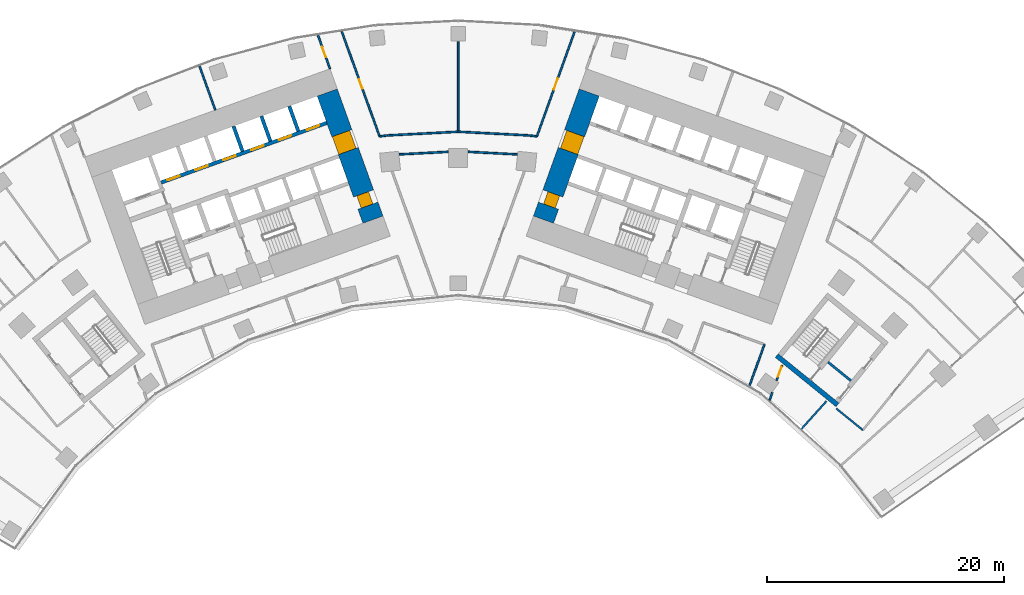
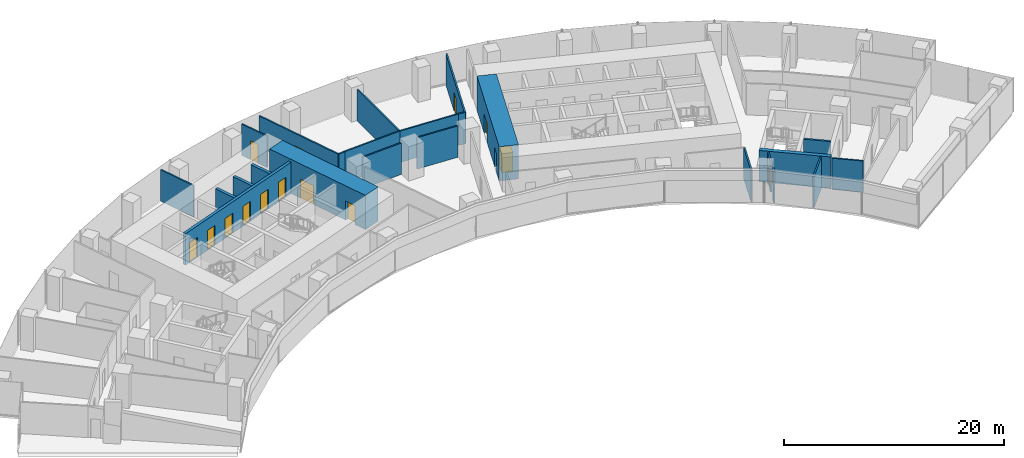
# One storey, part 16 of 21: 24 walls, 14 doors, 14 openings.
"""IFC4 building model written with IfcOpenShell, lengths in metres."""

from ifc_helpers import new_model, si_unit, direction, frame, frame_2d, origin, place, context, subcontext, project, spatial, rectangle, extrude, material, layer, layer_set, type_object, element, fill, save


model = new_model("IFC4")

# Units and contexts
model_context = context("Model", 3, precision=1e-05, world=origin(), true_north=direction((0.0, 1.0)))
body_context = subcontext(model_context, "Body", "Model", "MODEL_VIEW")
ifc_project = project(units=[si_unit("LENGTHUNIT", "METRE"), si_unit("AREAUNIT", "SQUARE_METRE"), si_unit("VOLUMEUNIT", "CUBIC_METRE"), si_unit("PLANEANGLEUNIT", "RADIAN"), si_unit("MASSUNIT", "GRAM", prefix="KILO")], contexts=[model_context])

# Site, building, storey
site_placement = place(None, origin())
site = spatial("IfcSite", under=ifc_project, at=site_placement, CompositionType="ELEMENT")
building_placement = place(site_placement, origin())
building = spatial("IfcBuilding", under=site, at=building_placement, Name="Stone Belt Terrace Tower", CompositionType="ELEMENT")
storey_placement = place(building_placement, frame((0.0, 0.0, 60.39990234375)))
storey = spatial("IfcBuildingStorey", under=building, at=storey_placement, Name="L14", CompositionType="ELEMENT", Elevation=60.39990234375)

# Wall, openings, doors
ifc_material_1 = material(Name="Concrete B80", Category="concrete")
ifc_layer_1 = layer(ifc_material_1, 1.800048828125)
ifc_layer_set_1 = layer_set([ifc_layer_1], Name="Core wall 1800 B80")
wall_type_1 = type_object("IfcWallType", Name="Core wall 1800 B80", PredefinedType="SHEAR", material=ifc_layer_set_1)
wall_1_placement = place(storey_placement, frame((-7.19091796875, 49.8076171875, 0.0), z_axis=(0.0, 0.0, 1.0), x_axis=(-0.338632255135, 0.940918804033, 0.0)))
wall_1 = element("IfcWall", 1, at=wall_1_placement, inside=storey, type_object=wall_type_1, Name="Core A wall end_b L14", PredefinedType="SHEAR", context=body_context, shape_type="SweptSolid", body=[
    extrude(rectangle(XDim=11.39990234375, YDim=1.800048828125, at=frame_2d((5.699951171875, 0.0))), origin(), (0.0, 0.0, 1.0), 3.800048828125),
])
opening_1_placement = place(wall_1_placement, frame((6.14990234375, 0.0, 0.0)))
opening_1 = element("IfcOpeningElement", 2, at=opening_1_placement, cuts=wall_1, Name="Opening L14-C02", PredefinedType="OPENING", context=body_context, shape_type="SweptSolid", body=[
    extrude(rectangle(XDim=1.60009765625, YDim=2.10009765625, at=frame_2d((0.800048828125, 1.050048828125))), frame((0.0, 0.909912109375, 0.0), z_axis=(0.0, -1.0, 0.0), x_axis=(1.0, 0.0, 0.0)), (0.0, 0.0, 1.0), 1.820068359375),
])
opening_2_placement = place(wall_1_placement, frame((1.25, 0.0, 0.0)))
opening_2 = element("IfcOpeningElement", 3, at=opening_2_placement, cuts=wall_1, Name="Opening L14-C08", PredefinedType="OPENING", context=body_context, shape_type="SweptSolid", body=[
    extrude(rectangle(XDim=1.10009765625, YDim=2.10009765625, at=frame_2d((0.550048828125, 1.050048828125))), frame((0.0, 0.909912109375, 0.0), z_axis=(0.0, -1.0, 0.0), x_axis=(1.0, 0.0, 0.0)), (0.0, 0.0, 1.0), 1.820068359375),
])
ifc_material_2 = material(Name="Timber door leaf", Category="wood")
door_type_1 = type_object("IfcDoorType", Name="Core room door 1100", OperationType="SINGLE_SWING_LEFT", PredefinedType="DOOR", material=ifc_material_2)
door_1_placement = place(opening_2_placement, origin())
door_1 = element("IfcDoor", 4, at=door_1_placement, inside=storey, type_object=door_type_1, Name="Door to Electrical riser room core A", OperationType="SINGLE_SWING_RIGHT", OverallHeight=2.10009765625, OverallWidth=1.10009765625, PredefinedType="DOOR", context=body_context, shape_type="SweptSolid", body=[
    extrude(rectangle(XDim=1.10009765625, YDim=2.10009765625, at=frame_2d((0.550048828125, 1.050048828125))), frame((0.0, 0.60498046875, 0.0), z_axis=(0.0, -1.0, 0.0), x_axis=(1.0, 0.0, 0.0)), (0.0, 0.0, 1.0), 1.050048828125),
])
fill(opening_2, door_1)
ifc_material_3 = material(Name="Glazed aluminium door leaf", Category="aluminium")
door_type_2 = type_object("IfcDoorType", Name="Lift lobby entrance door 1600", OperationType="DOUBLE_DOOR_SINGLE_SWING", PredefinedType="DOOR", material=ifc_material_3)
door_2_placement = place(opening_1_placement, origin())
door_2 = element("IfcDoor", 5, at=door_2_placement, inside=storey, type_object=door_type_2, Name="Lift lobby entrance door core A", OperationType="DOUBLE_DOOR_SINGLE_SWING", OverallHeight=2.10009765625, OverallWidth=1.60009765625, PredefinedType="DOOR", context=body_context, shape_type="SweptSolid", body=[
    extrude(rectangle(XDim=1.60009765625, YDim=2.10009765625, at=frame_2d((0.800048828125, 1.050048828125))), frame((0.0, 0.85498046875, 0.0), z_axis=(0.0, -1.0, 0.0), x_axis=(1.0, 0.0, 0.0)), (0.0, 0.0, 1.0), 1.550048828125),
])
fill(opening_1, door_2)

wall_2_placement = place(storey_placement, frame((7.19091796875, 49.8076171875, 0.0), z_axis=(0.0, 0.0, 1.0), x_axis=(0.338632255135, 0.940918804033, 0.0)))
wall_2 = element("IfcWall", 6, at=wall_2_placement, inside=storey, type_object=wall_type_1, Name="Core B wall end_a L14", PredefinedType="SHEAR", context=body_context, shape_type="SweptSolid", body=[
    extrude(rectangle(XDim=11.39990234375, YDim=1.800048828125, at=frame_2d((5.699951171875, 0.0))), origin(), (0.0, 0.0, 1.0), 3.800048828125),
])
opening_3_placement = place(wall_2_placement, frame((6.14990234375, 0.0, 0.0)))
opening_3 = element("IfcOpeningElement", 7, at=opening_3_placement, cuts=wall_2, Name="Opening L14-C10", PredefinedType="OPENING", context=body_context, shape_type="SweptSolid", body=[
    extrude(rectangle(XDim=1.60009765625, YDim=2.10009765625, at=frame_2d((0.800048828125, 1.050048828125))), frame((0.0, 0.909912109375, 0.0), z_axis=(0.0, -1.0, 0.0), x_axis=(1.0, 0.0, 0.0)), (0.0, 0.0, 1.0), 1.820068359375),
])
opening_4_placement = place(wall_2_placement, frame((1.25, 0.0, 0.0)))
opening_4 = element("IfcOpeningElement", 8, at=opening_4_placement, cuts=wall_2, Name="Opening L14-C16", PredefinedType="OPENING", context=body_context, shape_type="SweptSolid", body=[
    extrude(rectangle(XDim=1.10009765625, YDim=2.10009765625, at=frame_2d((0.550048828125, 1.050048828125))), frame((0.0, 0.909912109375, 0.0), z_axis=(0.0, -1.0, 0.0), x_axis=(1.0, 0.0, 0.0)), (0.0, 0.0, 1.0), 1.820068359375),
])
door_3_placement = place(opening_4_placement, origin())
door_3 = element("IfcDoor", 9, at=door_3_placement, inside=storey, type_object=door_type_1, Name="Door to Electrical riser room core B", OperationType="SINGLE_SWING_LEFT", OverallHeight=2.10009765625, OverallWidth=1.10009765625, PredefinedType="DOOR", context=body_context, shape_type="SweptSolid", body=[
    extrude(rectangle(XDim=1.10009765625, YDim=2.10009765625, at=frame_2d((0.550048828125, 1.050048828125))), frame((0.0, 0.44482421875, 0.0), z_axis=(0.0, -1.0, 0.0), x_axis=(1.0, 0.0, 0.0)), (0.0, 0.0, 1.0), 1.050048828125),
])
fill(opening_4, door_3)
door_4_placement = place(opening_3_placement, origin())
door_4 = element("IfcDoor", 10, at=door_4_placement, inside=storey, type_object=door_type_2, Name="Lift lobby entrance door core B", OperationType="DOUBLE_DOOR_SINGLE_SWING", OverallHeight=2.10009765625, OverallWidth=1.60009765625, PredefinedType="DOOR", context=body_context, shape_type="SweptSolid", body=[
    extrude(rectangle(XDim=1.60009765625, YDim=2.10009765625, at=frame_2d((0.800048828125, 1.050048828125))), frame((0.0, 0.69482421875, 0.0), z_axis=(0.0, -1.0, 0.0), x_axis=(1.0, 0.0, 0.0)), (0.0, 0.0, 1.0), 1.550048828125),
])
fill(opening_3, door_4)

ifc_layer_2 = layer(ifc_material_1, 0.300048828125)
ifc_layer_set_2 = layer_set([ifc_layer_2], Name="Lift shaft wall 300")
wall_type_2 = type_object("IfcWallType", Name="Lift shaft wall 300", PredefinedType="SHEAR", material=ifc_layer_set_2)
wall_3_placement = place(storey_placement, frame((-25.05810546875, 52.9423828125, 0.0), z_axis=(0.0, 0.0, 1.0), x_axis=(0.940918215764, 0.338633889685, 0.0)))
wall_3 = element("IfcWall", 11, at=wall_3_placement, inside=storey, type_object=wall_type_2, Name="Core A wall", PredefinedType="SHEAR", context=body_context, shape_type="SweptSolid", body=[
    extrude(rectangle(XDim=14.850341796875, YDim=0.300048828125, at=frame_2d((7.42529296875, 0.0))), origin(), (0.0, 0.0, 1.0), 3.47998046875),
])
opening_5_placement = place(wall_3_placement, frame((0.570068359375, 0.0, 0.0)))
opening_5 = element("IfcOpeningElement", 12, at=opening_5_placement, cuts=wall_3, Name="Opening L14-LD01", PredefinedType="OPENING", context=body_context, shape_type="SweptSolid", body=[
    extrude(rectangle(XDim=1.10009765625, YDim=2.199951171875, at=frame_2d((0.550048828125, 1.10009765625))), frame((0.0, 0.159912109375, 0.0), z_axis=(0.0, -1.0, 0.0), x_axis=(1.0, 0.0, 0.0)), (0.0, 0.0, 1.0), 0.320068359375),
])
opening_6_placement = place(wall_3_placement, frame((3.070068359375, 0.0, 0.0)))
opening_6 = element("IfcOpeningElement", 13, at=opening_6_placement, cuts=wall_3, Name="Opening L14-LD02", PredefinedType="OPENING", context=body_context, shape_type="SweptSolid", body=[
    extrude(rectangle(XDim=1.10009765625, YDim=2.199951171875, at=frame_2d((0.550048828125, 1.10009765625))), frame((0.0, 0.159912109375, 0.0), z_axis=(0.0, -1.0, 0.0), x_axis=(1.0, 0.0, 0.0)), (0.0, 0.0, 1.0), 0.320068359375),
])
opening_7_placement = place(wall_3_placement, frame((5.570068359375, 0.0, 0.0)))
opening_7 = element("IfcOpeningElement", 14, at=opening_7_placement, cuts=wall_3, Name="Opening L14-LD03", PredefinedType="OPENING", context=body_context, shape_type="SweptSolid", body=[
    extrude(rectangle(XDim=1.10009765625, YDim=2.199951171875, at=frame_2d((0.550048828125, 1.10009765625))), frame((0.0, 0.159912109375, 0.0), z_axis=(0.0, -1.0, 0.0), x_axis=(1.0, 0.0, 0.0)), (0.0, 0.0, 1.0), 0.320068359375),
])
opening_8_placement = place(wall_3_placement, frame((8.070068359375, 0.0, 0.0)))
opening_8 = element("IfcOpeningElement", 15, at=opening_8_placement, cuts=wall_3, Name="Opening L14-LD04", PredefinedType="OPENING", context=body_context, shape_type="SweptSolid", body=[
    extrude(rectangle(XDim=1.10009765625, YDim=2.199951171875, at=frame_2d((0.550048828125, 1.10009765625))), frame((0.0, 0.159912109375, 0.0), z_axis=(0.0, -1.0, 0.0), x_axis=(1.0, 0.0, 0.0)), (0.0, 0.0, 1.0), 0.320068359375),
])
opening_9_placement = place(wall_3_placement, frame((10.570068359375, 0.0, 0.0)))
opening_9 = element("IfcOpeningElement", 16, at=opening_9_placement, cuts=wall_3, Name="Opening L14-LD05", PredefinedType="OPENING", context=body_context, shape_type="SweptSolid", body=[
    extrude(rectangle(XDim=1.10009765625, YDim=2.199951171875, at=frame_2d((0.550048828125, 1.10009765625))), frame((0.0, 0.159912109375, 0.0), z_axis=(0.0, -1.0, 0.0), x_axis=(1.0, 0.0, 0.0)), (0.0, 0.0, 1.0), 0.320068359375),
])
opening_10_placement = place(wall_3_placement, frame((13.070068359375, 0.0, 0.0)))
opening_10 = element("IfcOpeningElement", 17, at=opening_10_placement, cuts=wall_3, Name="Opening L14-LD06", PredefinedType="OPENING", context=body_context, shape_type="SweptSolid", body=[
    extrude(rectangle(XDim=1.10009765625, YDim=2.199951171875, at=frame_2d((0.550048828125, 1.10009765625))), frame((0.0, 0.159912109375, 0.0), z_axis=(0.0, -1.0, 0.0), x_axis=(1.0, 0.0, 0.0)), (0.0, 0.0, 1.0), 0.320068359375),
])
ifc_material_4 = material(Name="Stainless steel door leaf", Category="steel")
door_type_3 = type_object("IfcDoorType", Name="Landing door 1100", OperationType="SLIDING_TO_LEFT", PredefinedType="DOOR", material=ifc_material_4)
door_5_placement = place(opening_5_placement, origin())
door_5 = element("IfcDoor", 18, at=door_5_placement, inside=storey, type_object=door_type_3, Name="Landing door LR1 core A", OperationType="SLIDING_TO_LEFT", OverallHeight=2.199951171875, OverallWidth=1.10009765625, PredefinedType="DOOR", context=body_context, shape_type="SweptSolid", body=[
    extrude(rectangle(XDim=1.10009765625, YDim=2.199951171875, at=frame_2d((0.550048828125, 1.10009765625))), frame((0.0, 0.02490234375, 0.0), z_axis=(0.0, -1.0, 0.0), x_axis=(1.0, 0.0, 0.0)), (0.0, 0.0, 1.0), 0.050048828125),
])
fill(opening_5, door_5)
door_6_placement = place(opening_6_placement, origin())
door_6 = element("IfcDoor", 19, at=door_6_placement, inside=storey, type_object=door_type_3, Name="Landing door LR2 core A", OperationType="SLIDING_TO_LEFT", OverallHeight=2.199951171875, OverallWidth=1.10009765625, PredefinedType="DOOR", context=body_context, shape_type="SweptSolid", body=[
    extrude(rectangle(XDim=1.10009765625, YDim=2.199951171875, at=frame_2d((0.550048828125, 1.10009765625))), frame((0.0, 0.02490234375, 0.0), z_axis=(0.0, -1.0, 0.0), x_axis=(1.0, 0.0, 0.0)), (0.0, 0.0, 1.0), 0.050048828125),
])
fill(opening_6, door_6)
door_7_placement = place(opening_7_placement, origin())
door_7 = element("IfcDoor", 20, at=door_7_placement, inside=storey, type_object=door_type_3, Name="Landing door LR3 core A", OperationType="SLIDING_TO_LEFT", OverallHeight=2.199951171875, OverallWidth=1.10009765625, PredefinedType="DOOR", context=body_context, shape_type="SweptSolid", body=[
    extrude(rectangle(XDim=1.10009765625, YDim=2.199951171875, at=frame_2d((0.550048828125, 1.10009765625))), frame((0.0, 0.02490234375, 0.0), z_axis=(0.0, -1.0, 0.0), x_axis=(1.0, 0.0, 0.0)), (0.0, 0.0, 1.0), 0.050048828125),
])
fill(opening_7, door_7)
door_8_placement = place(opening_8_placement, origin())
door_8 = element("IfcDoor", 21, at=door_8_placement, inside=storey, type_object=door_type_3, Name="Landing door LR4 core A", OperationType="SLIDING_TO_LEFT", OverallHeight=2.199951171875, OverallWidth=1.10009765625, PredefinedType="DOOR", context=body_context, shape_type="SweptSolid", body=[
    extrude(rectangle(XDim=1.10009765625, YDim=2.199951171875, at=frame_2d((0.550048828125, 1.10009765625))), frame((0.0, 0.02490234375, 0.0), z_axis=(0.0, -1.0, 0.0), x_axis=(1.0, 0.0, 0.0)), (0.0, 0.0, 1.0), 0.050048828125),
])
fill(opening_8, door_8)
door_9_placement = place(opening_9_placement, origin())
door_9 = element("IfcDoor", 22, at=door_9_placement, inside=storey, type_object=door_type_3, Name="Landing door LR5 core A", OperationType="SLIDING_TO_LEFT", OverallHeight=2.199951171875, OverallWidth=1.10009765625, PredefinedType="DOOR", context=body_context, shape_type="SweptSolid", body=[
    extrude(rectangle(XDim=1.10009765625, YDim=2.199951171875, at=frame_2d((0.550048828125, 1.10009765625))), frame((0.0, 0.02490234375, 0.0), z_axis=(0.0, -1.0, 0.0), x_axis=(1.0, 0.0, 0.0)), (0.0, 0.0, 1.0), 0.050048828125),
])
fill(opening_9, door_9)
door_10_placement = place(opening_10_placement, origin())
door_10 = element("IfcDoor", 23, at=door_10_placement, inside=storey, type_object=door_type_3, Name="Landing door LR6 core A", OperationType="SLIDING_TO_LEFT", OverallHeight=2.199951171875, OverallWidth=1.10009765625, PredefinedType="DOOR", context=body_context, shape_type="SweptSolid", body=[
    extrude(rectangle(XDim=1.10009765625, YDim=2.199951171875, at=frame_2d((0.550048828125, 1.10009765625))), frame((0.0, 0.02490234375, 0.0), z_axis=(0.0, -1.0, 0.0), x_axis=(1.0, 0.0, 0.0)), (0.0, 0.0, 1.0), 0.050048828125),
])
fill(opening_10, door_10)

# Walls
wall_4_placement = place(storey_placement, frame((-18.193115234375, 55.572509765625, 0.0), z_axis=(0.0, 0.0, 1.0), x_axis=(-0.338535034312, 0.940953787677, 0.0)))
element("IfcWall", 24, at=wall_4_placement, inside=storey, type_object=wall_type_2, Name="Core A wall", PredefinedType="SHEAR", context=body_context, shape_type="SweptSolid", body=[
    extrude(rectangle(XDim=2.25, YDim=0.300048828125, at=frame_2d((1.125, 0.0))), origin(), (0.0, 0.0, 1.0), 3.47998046875),
])
wall_5_placement = place(storey_placement, frame((-15.8408203125, 56.419189453125, 0.0), z_axis=(0.0, 0.0, 1.0), x_axis=(-0.338569601369, 0.940941350472, 0.0)))
element("IfcWall", 25, at=wall_5_placement, inside=storey, type_object=wall_type_2, Name="Core A wall", PredefinedType="SHEAR", context=body_context, shape_type="SweptSolid", body=[
    extrude(rectangle(XDim=2.249755859375, YDim=0.300048828125, at=frame_2d((1.125, 0.0))), origin(), (0.0, 0.0, 1.0), 3.47998046875),
])
wall_6_placement = place(storey_placement, frame((-13.48828125, 57.265625, 0.0), z_axis=(0.0, 0.0, 1.0), x_axis=(-0.338631098537, 0.940919220286, 0.0)))
element("IfcWall", 26, at=wall_6_placement, inside=storey, type_object=wall_type_2, Name="Core A wall", PredefinedType="SHEAR", context=body_context, shape_type="SweptSolid", body=[
    extrude(rectangle(XDim=2.250244140625, YDim=0.300048828125, at=frame_2d((1.125, 0.0))), origin(), (0.0, 0.0, 1.0), 3.47998046875),
])

# Wall, opening, door
ifc_material_5 = material(Name="Gypsum board partition")
ifc_layer_3 = layer(ifc_material_5, 0.14990234375)
ifc_layer_set_3 = layer_set([ifc_layer_3], Name="PARTITION 150 EI 60")
wall_type_3 = type_object("IfcWallType", Name="PARTITION 150 EI 60", PredefinedType="PARTITIONING", material=ifc_layer_set_3)
wall_7_placement = place(storey_placement, frame((-10.81396484375, 62.531982421875, 0.0), z_axis=(0.0, 0.0, 1.0), x_axis=(-0.338526810165, 0.940956746508, 0.0)))
wall_7 = element("IfcWall", 27, at=wall_7_placement, inside=storey, type_object=wall_type_3, Name="L14/wall/i008", PredefinedType="PARTITIONING", context=body_context, shape_type="SweptSolid", body=[
    extrude(rectangle(XDim=3.006591796875, YDim=0.14990234375, at=frame_2d((1.50341796875, 0.0))), origin(), (0.0, 0.0, 1.0), 3.47998046875),
])
opening_11_placement = place(wall_7_placement, frame((1.05322265625, 0.0, 0.0)))
opening_11 = element("IfcOpeningElement", 28, at=opening_11_placement, cuts=wall_7, Name="Opening D-A4-06", PredefinedType="OPENING", context=body_context, shape_type="SweptSolid", body=[
    extrude(rectangle(XDim=0.89990234375, YDim=2.10009765625, at=frame_2d((0.449951171875, 1.050048828125))), frame((0.0, 0.0849609375, 0.0), z_axis=(0.0, -1.0, 0.0), x_axis=(1.0, 0.0, 0.0)), (0.0, 0.0, 1.0), 0.169921875),
])
door_type_4 = type_object("IfcDoorType", Name="OFFICE DOOR 900 X 2100", OperationType="NOTDEFINED", PredefinedType="DOOR", material=ifc_material_2)
door_11_placement = place(opening_11_placement, origin())
door_11 = element("IfcDoor", 29, at=door_11_placement, inside=storey, type_object=door_type_4, Name="L14/door/i06", OperationType="SINGLE_SWING_RIGHT", OverallHeight=2.10009765625, OverallWidth=0.89990234375, PredefinedType="DOOR", context=body_context, shape_type="SweptSolid", body=[
    extrude(rectangle(XDim=0.89990234375, YDim=2.10009765625, at=frame_2d((0.449951171875, 1.050048828125))), frame((0.0, 0.02490234375, 0.0), z_axis=(0.0, -1.0, 0.0), x_axis=(1.0, 0.0, 0.0)), (0.0, 0.0, 1.0), 0.050048828125),
])
fill(opening_11, door_11)

wall_8_placement = place(storey_placement, frame((-9.8212890625, 65.68115234375, 0.0), z_axis=(0.0, 0.0, 1.0), x_axis=(0.338561511742, -0.940944261243, 0.0)))
wall_8 = element("IfcWall", 30, at=wall_8_placement, inside=storey, type_object=wall_type_3, Name="L14/wall/i010", PredefinedType="PARTITIONING", context=body_context, shape_type="SweptSolid", body=[
    extrude(rectangle(XDim=9.4140625, YDim=0.14990234375, at=frame_2d((4.70703125, 0.0))), origin(), (0.0, 0.0, 1.0), 3.47998046875),
])
opening_12_placement = place(wall_8_placement, frame((4.30712890625, 0.0, 0.0)))
opening_12 = element("IfcOpeningElement", 31, at=opening_12_placement, cuts=wall_8, Name="Opening D-A4-29", PredefinedType="OPENING", context=body_context, shape_type="SweptSolid", body=[
    extrude(rectangle(XDim=0.800048828125, YDim=2.10009765625, at=frame_2d((0.39990234375, 1.050048828125))), frame((0.0, 0.0849609375, 0.0), z_axis=(0.0, -1.0, 0.0), x_axis=(1.0, 0.0, 0.0)), (0.0, 0.0, 1.0), 0.169921875),
])
door_type_5 = type_object("IfcDoorType", Name="STORE DOOR 800 X 2100", OperationType="NOTDEFINED", PredefinedType="DOOR", material=ifc_material_2)
door_12_placement = place(opening_12_placement, origin())
door_12 = element("IfcDoor", 32, at=door_12_placement, inside=storey, type_object=door_type_5, Name="L14/door/i29", OperationType="SINGLE_SWING_RIGHT", OverallHeight=2.10009765625, OverallWidth=0.800048828125, PredefinedType="DOOR", context=body_context, shape_type="SweptSolid", body=[
    extrude(rectangle(XDim=0.800048828125, YDim=2.10009765625, at=frame_2d((0.39990234375, 1.050048828125))), frame((0.0, 0.02490234375, 0.0), z_axis=(0.0, -1.0, 0.0), x_axis=(1.0, 0.0, 0.0)), (0.0, 0.0, 1.0), 0.050048828125),
])
fill(opening_12, door_12)

# Wall
wall_9_placement = place(storey_placement, frame((-21.827880859375, 62.755126953125, 0.0), z_axis=(0.0, 0.0, 1.0), x_axis=(0.338675570536, -0.940903213897, 0.0)))
element("IfcWall", 33, at=wall_9_placement, inside=storey, type_object=wall_type_3, Name="L14/wall/i018", PredefinedType="PARTITIONING", context=body_context, shape_type="SweptSolid", body=[
    extrude(rectangle(XDim=3.938720703125, YDim=0.14990234375, at=frame_2d((1.96923828125, 0.0))), origin(), (0.0, 0.0, 1.0), 3.47998046875),
])

# Wall, opening, door
wall_10_placement = place(storey_placement, frame((6.634033203125, 56.822998046875, 0.0), z_axis=(0.0, 0.0, 1.0), x_axis=(0.338561511742, 0.940944261243, 0.0)))
wall_10 = element("IfcWall", 34, at=wall_10_placement, inside=storey, type_object=wall_type_3, Name="L14/wall/i022", PredefinedType="PARTITIONING", context=body_context, shape_type="SweptSolid", body=[
    extrude(rectangle(XDim=9.4140625, YDim=0.14990234375, at=frame_2d((4.70703125, 0.0))), origin(), (0.0, 0.0, 1.0), 3.47998046875),
])
opening_13_placement = place(wall_10_placement, frame((4.20703125, 0.0, 0.0)))
opening_13 = element("IfcOpeningElement", 35, at=opening_13_placement, cuts=wall_10, Name="Opening D-A4-30", PredefinedType="OPENING", context=body_context, shape_type="SweptSolid", body=[
    extrude(rectangle(XDim=1.0, YDim=2.10009765625, at=frame_2d((0.5, 1.050048828125))), frame((0.0, 0.0849609375, 0.0), z_axis=(0.0, -1.0, 0.0), x_axis=(1.0, 0.0, 0.0)), (0.0, 0.0, 1.0), 0.169921875),
])
ifc_material_6 = material(Name="Timber fire door leaf", Category="wood")
door_type_6 = type_object("IfcDoorType", Name="TENANCY ENTRANCE DOOR 1000 X 2100", OperationType="NOTDEFINED", PredefinedType="DOOR", material=ifc_material_6)
door_13_placement = place(opening_13_placement, origin())
door_13 = element("IfcDoor", 36, at=door_13_placement, inside=storey, type_object=door_type_6, Name="L14/door/i30", OperationType="SINGLE_SWING_RIGHT", OverallHeight=2.10009765625, OverallWidth=1.0, PredefinedType="DOOR", context=body_context, shape_type="SweptSolid", body=[
    extrude(rectangle(XDim=1.0, YDim=2.10009765625, at=frame_2d((0.5, 1.050048828125))), frame((0.0, 0.02490234375, 0.0), z_axis=(0.0, -1.0, 0.0), x_axis=(1.0, 0.0, 0.0)), (0.0, 0.0, 1.0), 0.050048828125),
])
fill(opening_13, door_13)

# Wall
wall_11_placement = place(storey_placement, frame((24.56494140625, 35.771728515625, 0.0), z_axis=(0.0, 0.0, 1.0), x_axis=(0.338392582605, 0.941005026574, 0.0)))
element("IfcWall", 37, at=wall_11_placement, inside=storey, type_object=wall_type_3, Name="L14/wall/i023", PredefinedType="PARTITIONING", context=body_context, shape_type="SweptSolid", body=[
    extrude(rectangle(XDim=3.729248046875, YDim=0.14990234375, at=frame_2d((1.86474609375, 0.0))), origin(), (0.0, 0.0, 1.0), 3.47998046875),
])

# Wall, opening, door
wall_12_placement = place(storey_placement, frame((27.320068359375, 37.52099609375, 0.0), z_axis=(0.0, 0.0, 1.0), x_axis=(-0.339003916963, -0.940784961765, 0.0)))
wall_12 = element("IfcWall", 38, at=wall_12_placement, inside=storey, type_object=wall_type_3, Name="L14/wall/i026", PredefinedType="PARTITIONING", context=body_context, shape_type="SweptSolid", body=[
    extrude(rectangle(XDim=1.36767578125, YDim=0.14990234375, at=frame_2d((0.683837890625, 0.0))), origin(), (0.0, 0.0, 1.0), 3.47998046875),
])
opening_14_placement = place(wall_12_placement, frame((0.126220703125, 0.0, 0.0)))
opening_14 = element("IfcOpeningElement", 39, at=opening_14_placement, cuts=wall_12, Name="Opening D-A4-22", PredefinedType="OPENING", context=body_context, shape_type="SweptSolid", body=[
    extrude(rectangle(XDim=0.89990234375, YDim=2.10009765625, at=frame_2d((0.449951171875, 1.050048828125))), frame((0.0, 0.0849609375, 0.0), z_axis=(0.0, -1.0, 0.0), x_axis=(1.0, 0.0, 0.0)), (0.0, 0.0, 1.0), 0.169921875),
])
door_type_7 = type_object("IfcDoorType", Name="TENANCY ENTRANCE DOOR 900 X 2100", OperationType="NOTDEFINED", PredefinedType="DOOR", material=ifc_material_6)
door_14_placement = place(opening_14_placement, origin())
door_14 = element("IfcDoor", 40, at=door_14_placement, inside=storey, type_object=door_type_7, Name="L14/door/i22", OperationType="SINGLE_SWING_LEFT", OverallHeight=2.10009765625, OverallWidth=0.89990234375, PredefinedType="DOOR", context=body_context, shape_type="SweptSolid", body=[
    extrude(rectangle(XDim=0.89990234375, YDim=2.10009765625, at=frame_2d((0.449951171875, 1.050048828125))), frame((0.0, 0.02490234375, 0.0), z_axis=(0.0, -1.0, 0.0), x_axis=(1.0, 0.0, 0.0)), (0.0, 0.0, 1.0), 0.050048828125),
])
fill(opening_14, door_14)

# Walls
wall_13_placement = place(storey_placement, frame((26.490478515625, 35.21923828125, 0.0), z_axis=(0.0, 0.0, 1.0), x_axis=(-0.338920531705, -0.940815004764, 0.0)))
element("IfcWall", 41, at=wall_13_placement, inside=storey, type_object=wall_type_3, Name="L14/wall/i027", PredefinedType="PARTITIONING", context=body_context, shape_type="SweptSolid", body=[
    extrude(rectangle(XDim=0.68798828125, YDim=0.14990234375, at=frame_2d((0.343994140625, 0.0))), origin(), (0.0, 0.0, 1.0), 3.47998046875),
])
wall_14_placement = place(storey_placement, frame((34.133056640625, 32.055908203125, 0.0), z_axis=(0.0, 0.0, 1.0), x_axis=(-0.776369956068, 0.630277471686, 0.0)))
element("IfcWall", 42, at=wall_14_placement, inside=storey, type_object=wall_type_3, Name="L14/wall/i068", PredefinedType="PARTITIONING", context=body_context, shape_type="SweptSolid", body=[
    extrude(rectangle(XDim=2.8876953125, YDim=0.14990234375, at=frame_2d((1.44384765625, 0.0))), origin(), (0.0, 0.0, 1.0), 3.47998046875),
])
wall_15_placement = place(storey_placement, frame((31.054931640625, 34.489990234375, 0.0), z_axis=(0.0, 0.0, 1.0), x_axis=(-0.669118910745, -0.743155356089, 0.0)))
element("IfcWall", 43, at=wall_15_placement, inside=storey, type_object=wall_type_3, Name="L14/wall/i069", PredefinedType="PARTITIONING", context=body_context, shape_type="SweptSolid", body=[
    extrude(rectangle(XDim=3.149169921875, YDim=0.14990234375, at=frame_2d((1.57470703125, 0.0))), origin(), (0.0, 0.0, 1.0), 3.47998046875),
])
for number, where, z_axis, x_axis, name in (
    (44, (4.979248046875, 55.314453125, 0.0), (0.0, 0.0, 1.0), (-0.998634659291, 0.052238082501, 0.0), "L14/wall/i077"),
    (45, (-0.830078125, 55.531494140625, 0.0), (0.0, 0.0, 1.0), (-0.998634659291, -0.052238082501, 0.0), "L14/wall/i078"),
):
    element("IfcWall", number, at=place(storey_placement, frame(where, z_axis=z_axis, x_axis=x_axis)), inside=storey, type_object=wall_type_3, Name=name, PredefinedType="PARTITIONING", context=body_context, shape_type="SweptSolid", body=[
        extrude(rectangle(XDim=4.15478515625, YDim=0.14990234375, at=frame_2d((2.077392578125, 0.0))), origin(), (0.0, 0.0, 1.0), 3.47998046875),
    ])
wall_16_placement = place(storey_placement, frame((-6.635986328125, 56.8291015625, 0.0), z_axis=(0.0, 0.0, 1.0), x_axis=(0.992042541351, 0.125903122083, 0.0)))
element("IfcWall", 46, at=wall_16_placement, inside=storey, type_object=wall_type_3, Name="L14/wall/i079", PredefinedType="PARTITIONING", context=body_context, shape_type="SweptSolid", body=[
    extrude(rectangle(XDim=0.6591796875, YDim=0.14990234375, at=frame_2d((0.32958984375, 0.0))), origin(), (0.0, 0.0, 1.0), 3.47998046875),
])
for number, where, z_axis, x_axis, name in (
    (47, (-5.98193359375, 56.912109375, 0.0), (0.0, 0.0, 1.0), (0.998633994648, 0.052250786921, 0.0), "L14/wall/i080"),
    (48, (0.0, 57.22509765625, 0.0), (0.0, 0.0, 1.0), (0.998633994648, -0.052250786921, 0.0), "L14/wall/i081"),
):
    element("IfcWall", number, at=place(storey_placement, frame(where, z_axis=z_axis, x_axis=x_axis)), inside=storey, type_object=wall_type_3, Name=name, PredefinedType="PARTITIONING", context=body_context, shape_type="SweptSolid", body=[
        extrude(rectangle(XDim=5.990234375, YDim=0.14990234375, at=frame_2d((2.9951171875, 0.0))), origin(), (0.0, 0.0, 1.0), 3.47998046875),
    ])
wall_17_placement = place(storey_placement, frame((5.98193359375, 56.912109375, 0.0), z_axis=(0.0, 0.0, 1.0), x_axis=(0.992042541351, -0.125903122083, 0.0)))
element("IfcWall", 49, at=wall_17_placement, inside=storey, type_object=wall_type_3, Name="L14/wall/i082", PredefinedType="PARTITIONING", context=body_context, shape_type="SweptSolid", body=[
    extrude(rectangle(XDim=0.6591796875, YDim=0.14990234375, at=frame_2d((0.32958984375, 0.0))), origin(), (0.0, 0.0, 1.0), 3.47998046875),
])
wall_18_placement = place(storey_placement, frame((0.0, 64.833984375, 0.0), z_axis=(0.0, 0.0, 1.0), x_axis=(0.0, -1.0, 0.0)))
element("IfcWall", 50, at=wall_18_placement, inside=storey, type_object=wall_type_3, Name="L14/wall/i083", PredefinedType="PARTITIONING", context=body_context, shape_type="SweptSolid", body=[
    extrude(rectangle(XDim=7.60888671875, YDim=0.14990234375, at=frame_2d((3.804443359375, 0.0))), origin(), (0.0, 0.0, 1.0), 3.47998046875),
])
ifc_material_7 = material(Name="Concrete masonry block", Category="masonry")
ifc_layer_4 = layer(ifc_material_7, 0.199951171875)
ifc_layer_set_4 = layer_set([ifc_layer_4], Name="Rated lobby wall 200")
wall_type_4 = type_object("IfcWallType", Name="Rated lobby wall 200", PredefinedType="PARTITIONING", material=ifc_layer_set_4)
wall_19_placement = place(storey_placement, frame((31.190673828125, 37.79296875, 0.0), z_axis=(0.0, 0.0, 1.0), x_axis=(0.776370830301, -0.630276394813, 0.0)))
element("IfcWall", 51, at=wall_19_placement, inside=storey, type_object=wall_type_4, Name="Exit stair ST3B wall", PredefinedType="PARTITIONING", context=body_context, shape_type="SweptSolid", body=[
    extrude(rectangle(XDim=2.5, YDim=0.199951171875, at=frame_2d((1.25, 0.0))), origin(), (0.0, 0.0, 1.0), 3.47998046875),
])
ifc_layer_5 = layer(ifc_material_1, 0.39990234375)
ifc_layer_set_5 = layer_set([ifc_layer_5], Name="Stair enclosure wall 400")
wall_type_5 = type_object("IfcWallType", Name="Stair enclosure wall 400", PredefinedType="SHEAR", material=ifc_layer_set_5)
wall_20_placement = place(storey_placement, frame((26.868408203125, 38.3388671875, 0.0), z_axis=(0.0, 0.0, 1.0), x_axis=(0.776428452498, -0.630205409491, 0.0)))
element("IfcWall", 52, at=wall_20_placement, inside=storey, type_object=wall_type_5, Name="Exit stair ST3B wall", PredefinedType="SHEAR", context=body_context, shape_type="SweptSolid", body=[
    extrude(rectangle(XDim=6.60009765625, YDim=0.39990234375, at=frame_2d((3.300048828125, 0.0))), origin(), (0.0, 0.0, 1.0), 3.47998046875),
])

save(model, "model.ifc")
